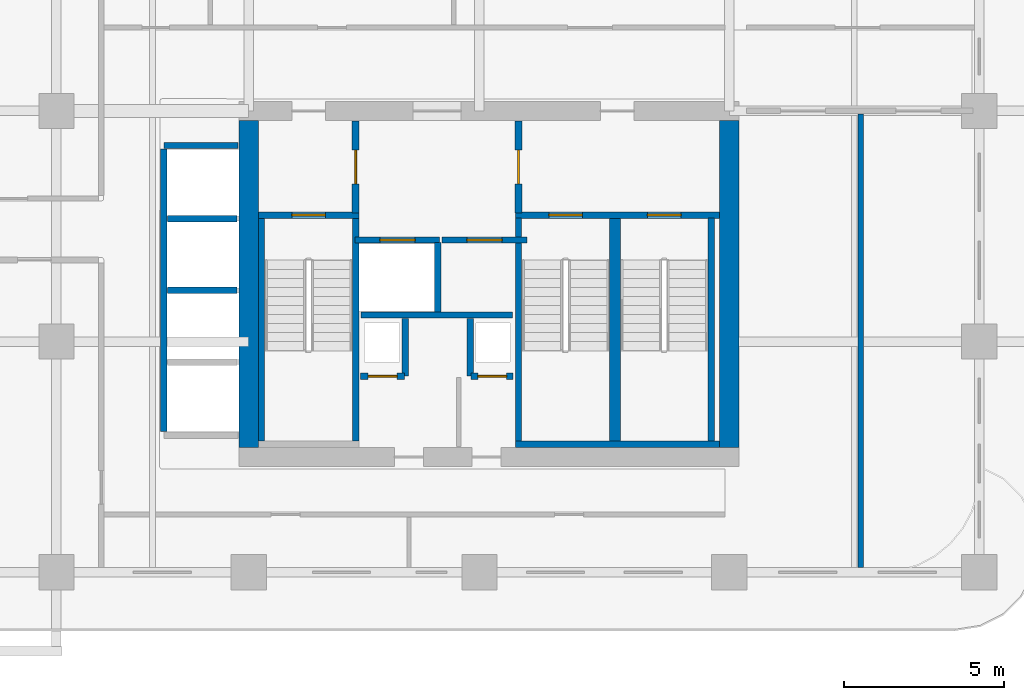
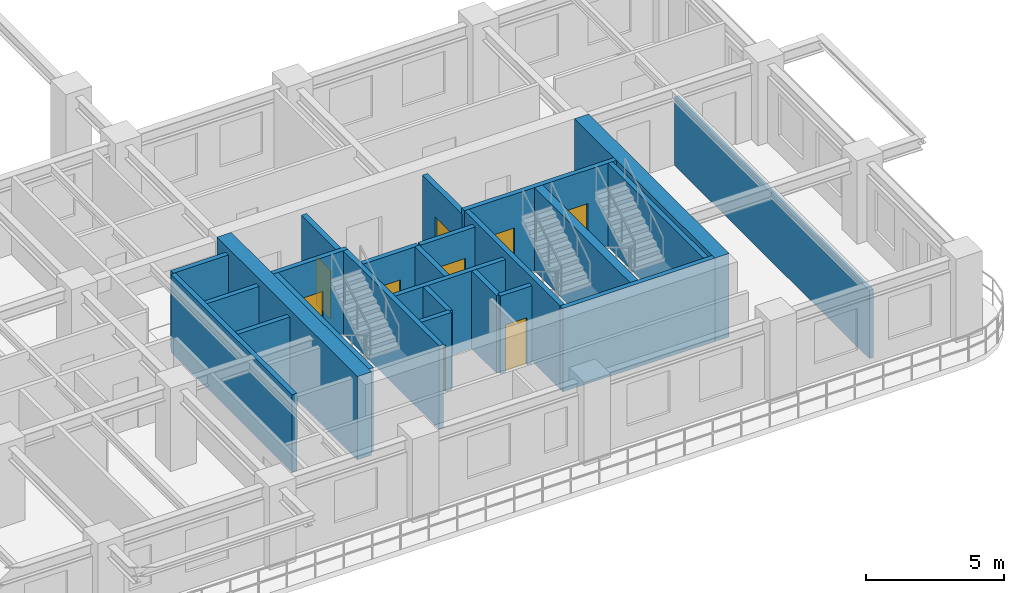
# One storey, part 8 of 19: 25 walls, 9 doors, 9 openings.
"""IFC4 building model written with IfcOpenShell, lengths in metres."""

from ifc_helpers import new_model, si_unit, derived_unit, direction, frame, frame_2d, origin, place, context, subcontext, project, spatial, rectangle, extrude, source, transform, mapped, material, layer, layer_set, type_object, type_shapes, element, fill, save


model = new_model("IFC4")

# Units and contexts
model_context = context("Model", 3, precision=1e-05, world=origin(), true_north=direction((0.0, 1.0)))
body_context = subcontext(model_context, "Body", "Model", "MODEL_VIEW")
ifc_project = project(units=[si_unit("LENGTHUNIT", "METRE"), si_unit("AREAUNIT", "SQUARE_METRE"), si_unit("VOLUMEUNIT", "CUBIC_METRE"), si_unit("PLANEANGLEUNIT", "RADIAN"), si_unit("MASSUNIT", "GRAM", prefix="KILO"), si_unit("THERMODYNAMICTEMPERATUREUNIT", "KELVIN"), si_unit("POWERUNIT", "WATT"), derived_unit("THERMALTRANSMITTANCEUNIT", [(si_unit("POWERUNIT", "WATT"), 1), (si_unit("AREAUNIT", "SQUARE_METRE"), -1), (si_unit("THERMODYNAMICTEMPERATUREUNIT", "KELVIN"), -1)])], contexts=[model_context])

# Site, building, storey
site_placement = place(None, origin())
site = spatial("IfcSite", under=ifc_project, at=site_placement, CompositionType="ELEMENT")
building_placement = place(site_placement, origin())
building = spatial("IfcBuilding", under=site, at=building_placement, Name="Zahravan Archway Hotel and Residences", CompositionType="ELEMENT")
storey_placement = place(building_placement, frame((0.0, 0.0, 43.5)))
storey = spatial("IfcBuildingStorey", under=building, at=storey_placement, Name="L09", CompositionType="ELEMENT", Elevation=43.5)

# Walls
ifc_material_1 = material(Name="Concrete C70/85", Category="concrete")
ifc_layer_1 = layer(ifc_material_1, 0.60009765625, Name="Concrete C70/85", Category="concrete")
ifc_layer_set_1 = layer_set([ifc_layer_1], Name="Concrete C70/85")
wall_type_1 = type_object("IfcWallType", Name="CW-CORE-600", PredefinedType="SHEAR", material=ifc_layer_set_1)
for number, where, z_axis, x_axis, name in (
    (1, (34.800048828125, 3.89990234375, 0.0), (0.0, 0.0, 1.0), (0.0, 1.0, 0.0), "L09 Core A Shear W Wall 600 mm"),
    (2, (49.800048828125, 3.89990234375, 0.0), (0.0, 0.0, 1.0), (0.0, 1.0, 0.0), "L09 Core A Shear E Wall 600 mm"),
):
    element("IfcWall", number, at=place(storey_placement, frame(where, z_axis=z_axis, x_axis=x_axis)), inside=storey, type_object=wall_type_1, Name=name, PredefinedType="SHEAR", context=body_context, shape_type="SweptSolid", body=[
        extrude(rectangle(XDim=10.2001953125, YDim=0.60009765625, at=frame_2d((5.10009765625, 0.0))), origin(), (0.0, 0.0, 1.0), 3.699951171875),
    ])

# Wall, opening, door
ifc_material_2 = material(Name="Fire-Rated Gypsum & Concrete Block", Category="concrete")
ifc_layer_2 = layer(ifc_material_2, 0.219970703125, Name="Fire-Rated Gypsum & Concrete Block", Category="concrete")
ifc_layer_set_2 = layer_set([ifc_layer_2], Name="Fire-Rated Gypsum & Concrete Block")
wall_type_2 = type_object("IfcWallType", Name="PW-COMP-220", PredefinedType="PARTITIONING", material=ifc_layer_set_2)
wall_1_placement = place(storey_placement, frame((38.139892578125, 11.219970703125, 0.0), z_axis=(0.0, 0.0, 1.0), x_axis=(0.0, 1.0, 0.0)))
wall_1 = element("IfcWall", 3, at=wall_1_placement, inside=storey, type_object=wall_type_2, Name="L09 Partition CA-LOBW", PredefinedType="PARTITIONING", context=body_context, shape_type="SweptSolid", body=[
    extrude(rectangle(XDim=2.860107421875, YDim=0.219970703125, at=frame_2d((1.43017578125, 0.0))), origin(), (0.0, 0.0, 1.0), 3.449951171875),
])
opening_1_placement = place(wall_1_placement, frame((0.905029296875, 0.0, 0.0)))
opening_1 = element("IfcOpeningElement", 4, at=opening_1_placement, cuts=wall_1, Name="Opening FD-L2", PredefinedType="OPENING", context=body_context, shape_type="SweptSolid", body=[
    extrude(rectangle(XDim=1.050048828125, YDim=2.14990234375, at=frame_2d((0.52490234375, 1.074951171875))), frame((0.0, 0.1201171875, 0.0), z_axis=(0.0, -1.0, 0.0), x_axis=(1.0, 0.0, 0.0)), (0.0, 0.0, 1.0), 0.239990234375),
])
ifc_material_3 = material(Name="Fire-Rated Painted Steel", Category="steel")
door_type_1 = type_object("IfcDoorType", Name="FD-LOBBY-1100", OperationType="NOTDEFINED", PredefinedType="DOOR", material=ifc_material_3)
shared_shape_1 = source(origin(), body_context, "Body", "SweptSolid", [
    extrude(rectangle(XDim=1.050048828125, YDim=2.14990234375, at=frame_2d((0.52490234375, 1.074951171875))), frame((0.0, 0.02490234375, 0.0), z_axis=(0.0, -1.0, 0.0), x_axis=(1.0, 0.0, 0.0)), (0.0, 0.0, 1.0), 0.050048828125),
])
type_shapes(door_type_1, [shared_shape_1])
door_1_placement = place(opening_1_placement, origin())
door_1 = element("IfcDoor", 5, at=door_1_placement, inside=storey, type_object=door_type_1, Name="L09 Core A West Stair to FSAE Lobby Door", OperationType="SINGLE_SWING_RIGHT", OverallHeight=2.14990234375, OverallWidth=1.050048828125, PredefinedType="DOOR", context=body_context, shape_type="MappedRepresentation", body=[
    mapped(shared_shape_1, transform((0.0, 0.0, 0.0), scale=1.0)),
])
fill(opening_1, door_1)

wall_2_placement = place(storey_placement, frame((43.219970703125, 11.219970703125, 0.0), z_axis=(0.0, 0.0, 1.0), x_axis=(0.0, 1.0, 0.0)))
wall_2 = element("IfcWall", 6, at=wall_2_placement, inside=storey, type_object=wall_type_2, Name="L09 Partition CA-LOBE", PredefinedType="PARTITIONING", context=body_context, shape_type="SweptSolid", body=[
    extrude(rectangle(XDim=2.860107421875, YDim=0.219970703125, at=frame_2d((1.43017578125, 0.0))), origin(), (0.0, 0.0, 1.0), 3.449951171875),
])
opening_2_placement = place(wall_2_placement, frame((0.905029296875, 0.0, 0.0)))
opening_2 = element("IfcOpeningElement", 7, at=opening_2_placement, cuts=wall_2, Name="Opening FD-L2", PredefinedType="OPENING", context=body_context, shape_type="SweptSolid", body=[
    extrude(rectangle(XDim=1.050048828125, YDim=2.14990234375, at=frame_2d((0.52490234375, 1.074951171875))), frame((0.0, 0.1201171875, 0.0), z_axis=(0.0, -1.0, 0.0), x_axis=(1.0, 0.0, 0.0)), (0.0, 0.0, 1.0), 0.239990234375),
])
door_2_placement = place(opening_2_placement, origin())
door_2 = element("IfcDoor", 8, at=door_2_placement, inside=storey, type_object=door_type_1, Name="L09 Core A East Stair to FSAE Lobby Door", OperationType="SINGLE_SWING_LEFT", OverallHeight=2.14990234375, OverallWidth=1.050048828125, PredefinedType="DOOR", context=body_context, shape_type="MappedRepresentation", body=[
    mapped(shared_shape_1, transform((0.0, 0.0, 0.0), scale=1.0)),
])
fill(opening_2, door_2)

# Walls
ifc_layer_3 = layer(ifc_material_2, 0.199951171875, Name="Fire-Rated Gypsum & Concrete Block", Category="concrete")
ifc_layer_set_3 = layer_set([ifc_layer_3], Name="Fire-Rated Gypsum & Concrete Block")
wall_type_3 = type_object("IfcWallType", Name="PW-SHAFT-200", PredefinedType="PARTITIONING", material=ifc_layer_set_3)
wall_3_placement = place(storey_placement, frame((38.300048828125, 8.030029296875, 0.0), z_axis=(0.0, 0.0, 1.0), x_axis=(1.0, 0.0, 0.0)))
element("IfcWall", 9, at=wall_3_placement, inside=storey, type_object=wall_type_3, Name="L09 Partition CA-FLS", PredefinedType="PARTITIONING", context=body_context, shape_type="SweptSolid", body=[
    extrude(rectangle(XDim=4.739990234375, YDim=0.199951171875, at=frame_2d((2.3701171875, 0.0))), origin(), (0.0, 0.0, 1.0), 3.449951171875),
])
wall_4_placement = place(storey_placement, frame((40.699951171875, 8.1201171875, 0.0), z_axis=(0.0, 0.0, 1.0), x_axis=(0.0, 1.0, 0.0)))
element("IfcWall", 10, at=wall_4_placement, inside=storey, type_object=wall_type_3, Name="L09 Partition CA-FLM", PredefinedType="PARTITIONING", context=body_context, shape_type="SweptSolid", body=[
    extrude(rectangle(XDim=2.179931640625, YDim=0.199951171875, at=frame_2d((1.08984375, 0.0))), origin(), (0.0, 0.0, 1.0), 3.449951171875),
])

# Wall, opening, door
wall_5_placement = place(storey_placement, frame((38.2900390625, 6.1201171875, 0.0), z_axis=(0.0, 0.0, 1.0), x_axis=(1.0, 0.0, 0.0)))
wall_5 = element("IfcWall", 11, at=wall_5_placement, inside=storey, type_object=wall_type_3, Name="L09 Partition CA-SMKS", PredefinedType="PARTITIONING", context=body_context, shape_type="SweptSolid", body=[
    extrude(rectangle(XDim=1.3798828125, YDim=0.199951171875, at=frame_2d((0.68994140625, 0.0))), origin(), (0.0, 0.0, 1.0), 3.449951171875),
])
opening_3_placement = place(wall_5_placement, frame((0.239990234375, 0.0, 0.0)))
opening_3 = element("IfcOpeningElement", 12, at=opening_3_placement, cuts=wall_5, Name="Opening FD-R1", PredefinedType="OPENING", context=body_context, shape_type="SweptSolid", body=[
    extrude(rectangle(XDim=0.89990234375, YDim=2.10009765625, at=frame_2d((0.449951171875, 1.050048828125))), frame((0.0, 0.10986328125, 0.0), z_axis=(0.0, -1.0, 0.0), x_axis=(1.0, 0.0, 0.0)), (0.0, 0.0, 1.0), 0.219970703125),
])
door_type_2 = type_object("IfcDoorType", Name="FD-RISER-900", OperationType="NOTDEFINED", PredefinedType="DOOR", material=ifc_material_3)
shared_shape_2 = source(origin(), body_context, "Body", "SweptSolid", [
    extrude(rectangle(XDim=0.89990234375, YDim=2.10009765625, at=frame_2d((0.449951171875, 1.050048828125))), frame((0.0, 0.02490234375, 0.0), z_axis=(0.0, -1.0, 0.0), x_axis=(1.0, 0.0, 0.0)), (0.0, 0.0, 1.0), 0.050048828125),
])
type_shapes(door_type_2, [shared_shape_2])
door_3_placement = place(opening_3_placement, origin())
door_3 = element("IfcDoor", 13, at=door_3_placement, inside=storey, type_object=door_type_2, Name="L09 Smoke Riser Access Door", OperationType="SINGLE_SWING_RIGHT", OverallHeight=2.10009765625, OverallWidth=0.89990234375, PredefinedType="DOOR", context=body_context, shape_type="MappedRepresentation", body=[
    mapped(shared_shape_2, transform((0.0, 0.0, 0.0), scale=1.0)),
])
fill(opening_3, door_3)

# Wall
wall_6_placement = place(storey_placement, frame((39.679931640625, 6.1298828125, 0.0), z_axis=(0.0, 0.0, 1.0), x_axis=(0.0, 1.0, 0.0)))
element("IfcWall", 14, at=wall_6_placement, inside=storey, type_object=wall_type_3, Name="L09 Partition CA-SMKE", PredefinedType="PARTITIONING", context=body_context, shape_type="SweptSolid", body=[
    extrude(rectangle(XDim=1.7900390625, YDim=0.199951171875, at=frame_2d((0.89501953125, 0.0))), origin(), (0.0, 0.0, 1.0), 3.449951171875),
])

# Wall, opening, door
wall_7_placement = place(storey_placement, frame((41.72998046875, 6.1201171875, 0.0), z_axis=(0.0, 0.0, 1.0), x_axis=(1.0, 0.0, 0.0)))
wall_7 = element("IfcWall", 15, at=wall_7_placement, inside=storey, type_object=wall_type_3, Name="L09 Partition CA-MEPS", PredefinedType="PARTITIONING", context=body_context, shape_type="SweptSolid", body=[
    extrude(rectangle(XDim=1.320068359375, YDim=0.199951171875, at=frame_2d((0.66015625, 0.0))), origin(), (0.0, 0.0, 1.0), 3.449951171875),
])
opening_4_placement = place(wall_7_placement, frame((0.219970703125, 0.0, 0.0)))
opening_4 = element("IfcOpeningElement", 16, at=opening_4_placement, cuts=wall_7, Name="Opening FD-R1", PredefinedType="OPENING", context=body_context, shape_type="SweptSolid", body=[
    extrude(rectangle(XDim=0.89990234375, YDim=2.10009765625, at=frame_2d((0.449951171875, 1.050048828125))), frame((0.0, 0.10986328125, 0.0), z_axis=(0.0, -1.0, 0.0), x_axis=(1.0, 0.0, 0.0)), (0.0, 0.0, 1.0), 0.219970703125),
])
door_4_placement = place(opening_4_placement, origin())
door_4 = element("IfcDoor", 17, at=door_4_placement, inside=storey, type_object=door_type_2, Name="L09 MEP Riser Access Door", OperationType="SINGLE_SWING_LEFT", OverallHeight=2.10009765625, OverallWidth=0.89990234375, PredefinedType="DOOR", context=body_context, shape_type="MappedRepresentation", body=[
    mapped(shared_shape_2, transform((0.0, 0.0, 0.0), scale=1.0)),
])
fill(opening_4, door_4)

# Walls
wall_8_placement = place(storey_placement, frame((41.719970703125, 6.1298828125, 0.0), z_axis=(0.0, 0.0, 1.0), x_axis=(0.0, 1.0, 0.0)))
element("IfcWall", 18, at=wall_8_placement, inside=storey, type_object=wall_type_3, Name="L09 Partition CA-MEPW", PredefinedType="PARTITIONING", context=body_context, shape_type="SweptSolid", body=[
    extrude(rectangle(XDim=1.7900390625, YDim=0.199951171875, at=frame_2d((0.89501953125, 0.0))), origin(), (0.0, 0.0, 1.0), 3.449951171875),
])
wall_9_placement = place(storey_placement, frame((32.159912109375, 13.320068359375, 0.0), z_axis=(0.0, 0.0, 1.0), x_axis=(1.0, 0.0, 0.0)))
element("IfcWall", 19, at=wall_9_placement, inside=storey, type_object=wall_type_3, Name="L09 Partition B3-N", PredefinedType="PARTITIONING", context=body_context, shape_type="SweptSolid", body=[
    extrude(rectangle(XDim=2.31005859375, YDim=0.199951171875, at=frame_2d((1.155029296875, 0.0))), origin(), (0.0, 0.0, 1.0), 3.449951171875),
])
wall_10_placement = place(storey_placement, frame((32.14990234375, 4.389892578125, 0.0), z_axis=(0.0, 0.0, 1.0), x_axis=(0.0, 1.0, 0.0)))
element("IfcWall", 20, at=wall_10_placement, inside=storey, type_object=wall_type_3, Name="L09 Partition B3-W", PredefinedType="PARTITIONING", context=body_context, shape_type="SweptSolid", body=[
    extrude(rectangle(XDim=8.820068359375, YDim=0.199951171875, at=frame_2d((4.41015625, 0.0))), origin(), (0.0, 0.0, 1.0), 3.449951171875),
])
for number, where, z_axis, x_axis, name in (
    (21, (32.260009765625, 8.800048828125, 0.0), (0.0, 0.0, 1.0), (1.0, 0.0, 0.0), "L09 Partition B3-D"),
    (22, (32.260009765625, 11.0400390625, 0.0), (0.0, 0.0, 1.0), (1.0, 0.0, 0.0), "L09 Partition B3-D"),
):
    element("IfcWall", number, at=place(storey_placement, frame(where, z_axis=z_axis, x_axis=x_axis)), inside=storey, type_object=wall_type_3, Name=name, PredefinedType="PARTITIONING", context=body_context, shape_type="SweptSolid", body=[
        extrude(rectangle(XDim=2.179931640625, YDim=0.199951171875, at=frame_2d((1.08984375, 0.0))), origin(), (0.0, 0.0, 1.0), 3.449951171875),
    ])

# Wall, opening, door
wall_11_placement = place(storey_placement, frame((38.1201171875, 10.3701171875, 0.0), z_axis=(0.0, 0.0, 1.0), x_axis=(1.0, 0.0, 0.0)))
wall_11 = element("IfcWall", 23, at=wall_11_placement, inside=storey, type_object=wall_type_3, Name="L09 Lift FL-1 Front Wall", PredefinedType="PARTITIONING", context=body_context, shape_type="SweptSolid", body=[
    extrude(rectangle(XDim=2.639892578125, YDim=0.199951171875, at=frame_2d((1.31982421875, 0.0))), origin(), (0.0, 0.0, 1.0), 3.449951171875),
])
opening_5_placement = place(wall_11_placement, frame((0.77001953125, 0.0, 0.0)))
opening_5 = element("IfcOpeningElement", 24, at=opening_5_placement, cuts=wall_11, Name="Opening LD", PredefinedType="OPENING", context=body_context, shape_type="SweptSolid", body=[
    extrude(rectangle(XDim=1.10009765625, YDim=2.199951171875, at=frame_2d((0.550048828125, 1.10009765625))), frame((0.0, 0.10986328125, 0.0), z_axis=(0.0, -1.0, 0.0), x_axis=(1.0, 0.0, 0.0)), (0.0, 0.0, 1.0), 0.219970703125),
])
ifc_material_4 = material(Name="Brushed Stainless Steel", Category="steel")
door_type_3 = type_object("IfcDoorType", Name="DR-LIFT-LD", OperationType="SLIDING_TO_LEFT", PredefinedType="DOOR", material=ifc_material_4)
shared_shape_3 = source(origin(), body_context, "Body", "SweptSolid", [
    extrude(rectangle(XDim=1.10009765625, YDim=2.199951171875, at=frame_2d((0.550048828125, 1.10009765625))), frame((0.0, 0.02490234375, 0.0), z_axis=(0.0, -1.0, 0.0), x_axis=(1.0, 0.0, 0.0)), (0.0, 0.0, 1.0), 0.050048828125),
])
type_shapes(door_type_3, [shared_shape_3])
door_5_placement = place(opening_5_placement, origin())
door_5 = element("IfcDoor", 25, at=door_5_placement, inside=storey, type_object=door_type_3, Name="L09 Lift FL-1 Sliding Landing Door", OperationType="SLIDING_TO_LEFT", OverallHeight=2.199951171875, OverallWidth=1.10009765625, PredefinedType="DOOR", context=body_context, shape_type="MappedRepresentation", body=[
    mapped(shared_shape_3, transform((0.0, 0.0, 0.0), scale=1.0)),
])
fill(opening_5, door_5)

wall_12_placement = place(storey_placement, frame((40.840087890625, 10.3701171875, 0.0), z_axis=(0.0, 0.0, 1.0), x_axis=(1.0, 0.0, 0.0)))
wall_12 = element("IfcWall", 26, at=wall_12_placement, inside=storey, type_object=wall_type_3, Name="L09 Lift FL-2 Front Wall", PredefinedType="PARTITIONING", context=body_context, shape_type="SweptSolid", body=[
    extrude(rectangle(XDim=2.639892578125, YDim=0.199951171875, at=frame_2d((1.31982421875, 0.0))), origin(), (0.0, 0.0, 1.0), 3.449951171875),
])
opening_6_placement = place(wall_12_placement, frame((0.77001953125, 0.0, 0.0)))
opening_6 = element("IfcOpeningElement", 27, at=opening_6_placement, cuts=wall_12, Name="Opening LD", PredefinedType="OPENING", context=body_context, shape_type="SweptSolid", body=[
    extrude(rectangle(XDim=1.10009765625, YDim=2.199951171875, at=frame_2d((0.550048828125, 1.10009765625))), frame((0.0, 0.10986328125, 0.0), z_axis=(0.0, -1.0, 0.0), x_axis=(1.0, 0.0, 0.0)), (0.0, 0.0, 1.0), 0.219970703125),
])
door_6_placement = place(opening_6_placement, origin())
door_6 = element("IfcDoor", 28, at=door_6_placement, inside=storey, type_object=door_type_3, Name="L09 Lift FL-2 Sliding Landing Door", OperationType="SLIDING_TO_LEFT", OverallHeight=2.199951171875, OverallWidth=1.10009765625, PredefinedType="DOOR", context=body_context, shape_type="MappedRepresentation", body=[
    mapped(shared_shape_3, transform((0.0, 0.0, 0.0), scale=1.0)),
])
fill(opening_6, door_6)

# Walls
ifc_material_5 = material(Name="Acoustic Stud Partition")
ifc_layer_4 = layer(ifc_material_5, 0.169921875, Name="Acoustic Stud Partition")
ifc_layer_set_4 = layer_set([ifc_layer_4], Name="Acoustic Stud Partition")
wall_type_4 = type_object("IfcWallType", Name="PW-UNIT-170", PredefinedType="PARTITIONING", material=ifc_layer_set_4)
wall_13_placement = place(storey_placement, frame((53.89990234375, 0.14794921875, 0.0), z_axis=(0.0, 0.0, 1.0), x_axis=(0.0, 1.0, 0.0)))
element("IfcWall", 29, at=wall_13_placement, inside=storey, type_object=wall_type_4, Name="L09 Partition EA-EV", PredefinedType="PARTITIONING", context=body_context, shape_type="SweptSolid", body=[
    extrude(rectangle(XDim=14.162109375, YDim=0.169921875, at=frame_2d((7.0810546875, 0.0))), origin(), (0.0, 0.0, 1.0), 3.034912109375),
])
ifc_material_6 = material(Name="Concrete C50/60", Category="concrete")
ifc_layer_5 = layer(ifc_material_6, 0.199951171875, Name="Concrete C50/60", Category="concrete")
ifc_layer_set_5 = layer_set([ifc_layer_5], Name="Concrete C50/60")
wall_type_5 = type_object("IfcWallType", Name="SW-STAIR-200", PredefinedType="SHEAR", material=ifc_layer_set_5)
for number, where, z_axis, x_axis, name in (
    (30, (35.199951171875, 4.10009765625, 0.0), (0.0, 0.0, 1.0), (0.0, 1.0, 0.0), "L09 Stairwell RC Wall CA-SA1W"),
    (31, (38.139892578125, 4.10009765625, 0.0), (0.0, 0.0, 1.0), (0.0, 1.0, 0.0), "L09 Stairwell RC Wall CA-SA1E"),
):
    element("IfcWall", number, at=place(storey_placement, frame(where, z_axis=z_axis, x_axis=x_axis)), inside=storey, type_object=wall_type_5, Name=name, PredefinedType="SHEAR", context=body_context, shape_type="SweptSolid", body=[
        extrude(rectangle(XDim=6.949951171875, YDim=0.199951171875, at=frame_2d((3.47509765625, 0.0))), origin(), (0.0, 0.0, 1.0), 3.699951171875),
    ])

# Wall, opening, door
wall_14_placement = place(storey_placement, frame((35.10009765625, 11.14990234375, 0.0), z_axis=(0.0, 0.0, 1.0), x_axis=(1.0, 0.0, 0.0)))
wall_14 = element("IfcWall", 32, at=wall_14_placement, inside=storey, type_object=wall_type_5, Name="L09 Stairwell RC Wall CA-SA1N", PredefinedType="SHEAR", context=body_context, shape_type="SweptSolid", body=[
    extrude(rectangle(XDim=3.139892578125, YDim=0.199951171875, at=frame_2d((1.56982421875, 0.0))), origin(), (0.0, 0.0, 1.0), 3.699951171875),
])
opening_7_placement = place(wall_14_placement, frame((1.044921875, 0.0, 0.0)))
opening_7 = element("IfcOpeningElement", 33, at=opening_7_placement, cuts=wall_14, Name="Opening FD-S1", PredefinedType="OPENING", context=body_context, shape_type="SweptSolid", body=[
    extrude(rectangle(XDim=1.050048828125, YDim=2.199951171875, at=frame_2d((0.52490234375, 1.10009765625))), frame((0.0, 0.10986328125, 0.0), z_axis=(0.0, -1.0, 0.0), x_axis=(1.0, 0.0, 0.0)), (0.0, 0.0, 1.0), 0.219970703125),
])
door_type_4 = type_object("IfcDoorType", Name="FD-STAIR-1100", OperationType="NOTDEFINED", PredefinedType="DOOR", material=ifc_material_3)
shared_shape_4 = source(origin(), body_context, "Body", "SweptSolid", [
    extrude(rectangle(XDim=1.050048828125, YDim=2.199951171875, at=frame_2d((0.52490234375, 1.10009765625))), frame((0.0, 0.02490234375, 0.0), z_axis=(0.0, -1.0, 0.0), x_axis=(1.0, 0.0, 0.0)), (0.0, 0.0, 1.0), 0.050048828125),
])
type_shapes(door_type_4, [shared_shape_4])
door_7_placement = place(opening_7_placement, origin())
door_7 = element("IfcDoor", 34, at=door_7_placement, inside=storey, type_object=door_type_4, Name="L09 Stair ST-A1 Door", OperationType="SINGLE_SWING_LEFT", OverallHeight=2.199951171875, OverallWidth=1.050048828125, PredefinedType="DOOR", context=body_context, shape_type="MappedRepresentation", body=[
    mapped(shared_shape_4, transform((0.0, 0.0, 0.0), scale=1.0)),
])
fill(opening_7, door_7)

# Walls
wall_15_placement = place(storey_placement, frame((43.1201171875, 4.0, 0.0), z_axis=(0.0, 0.0, 1.0), x_axis=(1.0, 0.0, 0.0)))
element("IfcWall", 35, at=wall_15_placement, inside=storey, type_object=wall_type_5, Name="L09 Stairwell RC Wall CA-SA23S", PredefinedType="SHEAR", context=body_context, shape_type="SweptSolid", body=[
    extrude(rectangle(XDim=6.3798828125, YDim=0.199951171875, at=frame_2d((3.18994140625, 0.0))), origin(), (0.0, 0.0, 1.0), 3.699951171875),
])
for number, where, z_axis, x_axis, name in (
    (36, (43.219970703125, 4.10009765625, 0.0), (0.0, 0.0, 1.0), (0.0, 1.0, 0.0), "L09 Stairwell RC Wall CA-SA2W"),
    (37, (49.239990234375, 4.10009765625, 0.0), (0.0, 0.0, 1.0), (0.0, 1.0, 0.0), "L09 Stairwell RC Wall CA-SA3E"),
):
    element("IfcWall", number, at=place(storey_placement, frame(where, z_axis=z_axis, x_axis=x_axis)), inside=storey, type_object=wall_type_5, Name=name, PredefinedType="SHEAR", context=body_context, shape_type="SweptSolid", body=[
        extrude(rectangle(XDim=6.949951171875, YDim=0.199951171875, at=frame_2d((3.47509765625, 0.0))), origin(), (0.0, 0.0, 1.0), 3.699951171875),
    ])

# Wall, openings, doors
wall_16_placement = place(storey_placement, frame((43.1201171875, 11.14990234375, 0.0), z_axis=(0.0, 0.0, 1.0), x_axis=(1.0, 0.0, 0.0)))
wall_16 = element("IfcWall", 38, at=wall_16_placement, inside=storey, type_object=wall_type_5, Name="L09 Stairwell RC Wall CA-SA23N", PredefinedType="SHEAR", context=body_context, shape_type="SweptSolid", body=[
    extrude(rectangle(XDim=6.3798828125, YDim=0.199951171875, at=frame_2d((3.18994140625, 0.0))), origin(), (0.0, 0.0, 1.0), 3.699951171875),
])
opening_8_placement = place(wall_16_placement, frame((1.044921875, 0.0, 0.0)))
opening_8 = element("IfcOpeningElement", 39, at=opening_8_placement, cuts=wall_16, Name="Opening FD-S1", PredefinedType="OPENING", context=body_context, shape_type="SweptSolid", body=[
    extrude(rectangle(XDim=1.050048828125, YDim=2.199951171875, at=frame_2d((0.52490234375, 1.10009765625))), frame((0.0, 0.10986328125, 0.0), z_axis=(0.0, -1.0, 0.0), x_axis=(1.0, 0.0, 0.0)), (0.0, 0.0, 1.0), 0.219970703125),
])
opening_9_placement = place(wall_16_placement, frame((4.125, 0.0, 0.0)))
opening_9 = element("IfcOpeningElement", 40, at=opening_9_placement, cuts=wall_16, Name="Opening FD-S1", PredefinedType="OPENING", context=body_context, shape_type="SweptSolid", body=[
    extrude(rectangle(XDim=1.050048828125, YDim=2.199951171875, at=frame_2d((0.52490234375, 1.10009765625))), frame((0.0, 0.10986328125, 0.0), z_axis=(0.0, -1.0, 0.0), x_axis=(1.0, 0.0, 0.0)), (0.0, 0.0, 1.0), 0.219970703125),
])
door_8_placement = place(opening_8_placement, origin())
door_8 = element("IfcDoor", 41, at=door_8_placement, inside=storey, type_object=door_type_4, Name="L09 Stair ST-A2 Door", OperationType="SINGLE_SWING_RIGHT", OverallHeight=2.199951171875, OverallWidth=1.050048828125, PredefinedType="DOOR", context=body_context, shape_type="MappedRepresentation", body=[
    mapped(shared_shape_4, transform((0.0, 0.0, 0.0), scale=1.0)),
])
fill(opening_8, door_8)
door_9_placement = place(opening_9_placement, origin())
door_9 = element("IfcDoor", 42, at=door_9_placement, inside=storey, type_object=door_type_4, Name="L09 Stair ST-A3 Door", OperationType="SINGLE_SWING_LEFT", OverallHeight=2.199951171875, OverallWidth=1.050048828125, PredefinedType="DOOR", context=body_context, shape_type="MappedRepresentation", body=[
    mapped(shared_shape_4, transform((0.0, 0.0, 0.0), scale=1.0)),
])
fill(opening_9, door_9)

# Wall
ifc_layer_6 = layer(ifc_material_6, 0.340087890625, Name="Concrete C50/60", Category="concrete")
ifc_layer_set_6 = layer_set([ifc_layer_6], Name="Concrete C50/60")
wall_type_6 = type_object("IfcWallType", Name="SW-STAIR-340", PredefinedType="SHEAR", material=ifc_layer_set_6)
wall_17_placement = place(storey_placement, frame((46.22998046875, 4.10009765625, 0.0), z_axis=(0.0, 0.0, 1.0), x_axis=(0.0, 1.0, 0.0)))
element("IfcWall", 43, at=wall_17_placement, inside=storey, type_object=wall_type_6, Name="L09 Stairwell RC Wall CA-SA23M", PredefinedType="SHEAR", context=body_context, shape_type="SweptSolid", body=[
    extrude(rectangle(XDim=6.949951171875, YDim=0.340087890625, at=frame_2d((3.47509765625, 0.0))), origin(), (0.0, 0.0, 1.0), 3.699951171875),
])

save(model, "model.ifc")
